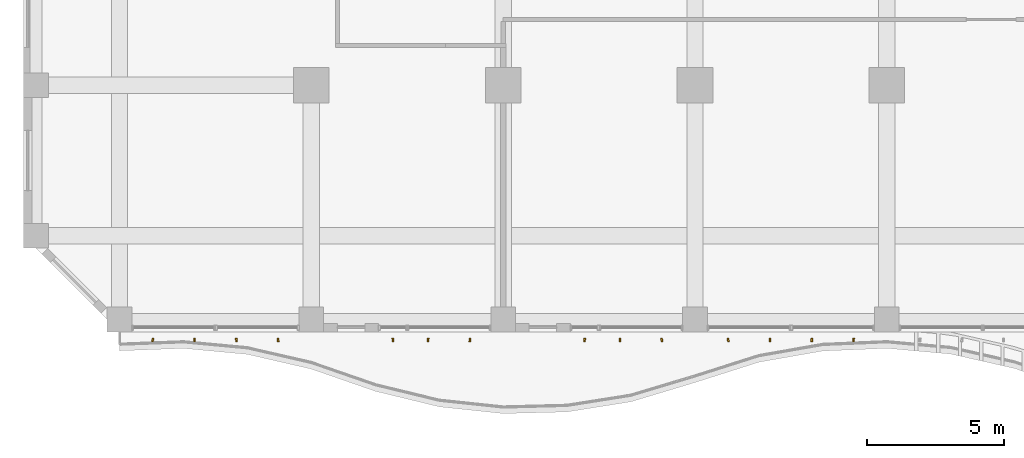
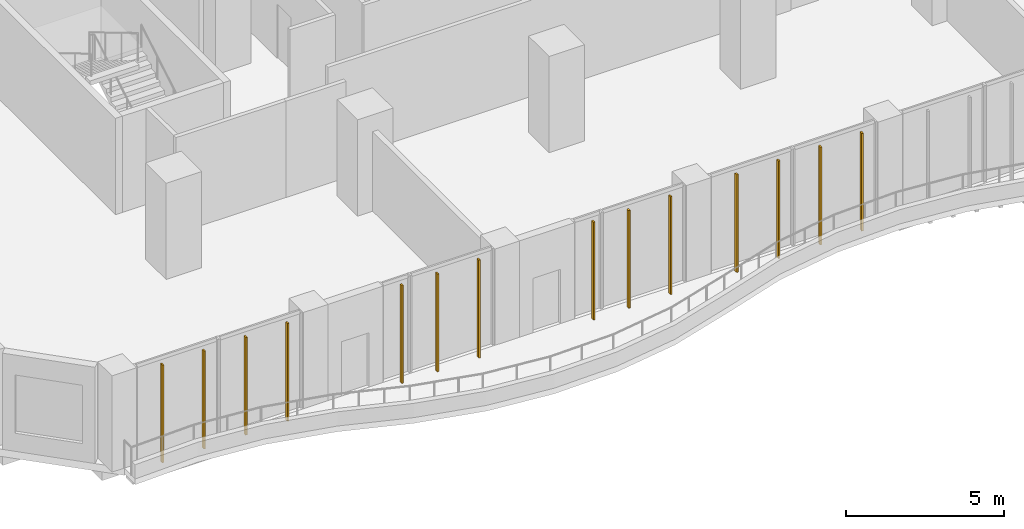
# One storey, part 17 of 25: 14 shading devices.
"""IFC4 building model written with IfcOpenShell, lengths in metres."""

from ifc_helpers import new_model, si_unit, direction, frame, origin, origin_2d, place, context, subcontext, project, spatial, rectangle, extrude, source, transform, mapped, material, material_profile, profile_set, type_object, element, save


model = new_model("IFC4")

# Units and contexts
model_context = context("Model", 3, precision=1e-05, world=origin(), true_north=direction((0.0, 1.0)))
body_context = subcontext(model_context, "Body", "Model", "MODEL_VIEW")
ifc_project = project(units=[si_unit("LENGTHUNIT", "METRE"), si_unit("AREAUNIT", "SQUARE_METRE"), si_unit("VOLUMEUNIT", "CUBIC_METRE"), si_unit("PLANEANGLEUNIT", "RADIAN"), si_unit("MASSUNIT", "GRAM", prefix="KILO")], contexts=[model_context])

# Site, building, storey
site_placement = place(None, origin())
site = spatial("IfcSite", under=ifc_project, at=site_placement, CompositionType="ELEMENT")
building_placement = place(site_placement, origin())
building = spatial("IfcBuilding", under=site, at=building_placement, Name="Kilnfold Tower and Market Hall", CompositionType="ELEMENT")
storey_placement = place(building_placement, frame((0.0, 0.0, 39.0)))
storey = spatial("IfcBuildingStorey", under=building, at=storey_placement, Name="L08", CompositionType="ELEMENT", Elevation=39.0)

# Shading devices
ifc_material = material(Name="Terracotta", Category="masonry")
ifc_material_profile = material_profile(ifc_material, rectangle(XDim=0.06005859375, YDim=0.1201171875, at=origin_2d()), Name="BAG 60x120")
ifc_profile_set = profile_set([ifc_material_profile], Name="Terracotta")
shading_device_type = type_object("IfcShadingDeviceType", Name="BAGUETTE", PredefinedType="USERDEFINED", material=ifc_profile_set)
shared_shape = source(origin(), body_context, "Body", "SweptSolid", [
    extrude(rectangle(XDim=0.06005859375, YDim=0.1201171875, at=origin_2d()), origin(), (0.0, 0.0, 1.0), 3.780029296875),
])
for number, where, z_axis, x_axis, name in (
    (1, (-23.28759765625, -28.300048828125, 0.0), (0.0, 0.0, 1.0), (0.991873138788, -0.127230800326, 0.0), "Terracotta baguette L08 S"),
    (2, (-21.762451171875, -28.300048828125, 0.0), (0.0, 0.0, 1.0), (0.998018061321, -0.062928127866, 0.0), "Terracotta baguette L08 S"),
    (3, (-20.237548828125, -28.300048828125, 0.0), (0.0, 0.0, 1.0), (0.999550019816, 0.029995964506, 0.0), "Terracotta baguette L08 S"),
    (4, (-18.71240234375, -28.300048828125, 0.0), (0.0, 0.0, 1.0), (0.994015607059, 0.109238147749, 0.0), "Terracotta baguette L08 S"),
    (5, (-14.52490234375, -28.300048828125, 0.0), (0.0, 0.0, 1.0), (0.998782317789, 0.049334386295, 0.0), "Terracotta baguette L08 S"),
    (6, (-13.237548828125, -28.300048828125, 0.0), (0.0, 0.0, 1.0), (0.999550019816, -0.029995964506, 0.0), "Terracotta baguette L08 S"),
    (7, (-11.71240234375, -28.300048828125, 0.0), (0.0, 0.0, 1.0), (0.994015607059, -0.109238147749, 0.0), "Terracotta baguette L08 S"),
    (8, (-7.52490234375, -28.300048828125, 0.0), (0.0, 0.0, 1.0), (0.998782317789, -0.049334386295, 0.0), "Terracotta baguette L08 S"),
    (9, (-6.237548828125, -28.300048828125, 0.0), (0.0, 0.0, 1.0), (0.999550019816, 0.029995964506, 0.0), "Terracotta baguette L08 S"),
    (10, (-4.71240234375, -28.300048828125, 0.0), (0.0, 0.0, 1.0), (0.994015607059, 0.109238147749, 0.0), "Terracotta baguette L08 S"),
    (11, (-2.28759765625, -28.300048828125, 0.0), (0.0, 0.0, 1.0), (0.991873138788, 0.127230800326, 0.0), "Terracotta baguette L08 S"),
    (12, (-0.762451171875, -28.300048828125, 0.0), (0.0, 0.0, 1.0), (0.998018061321, 0.062928127866, 0.0), "Terracotta baguette L08 S"),
    (13, (0.762451171875, -28.300048828125, 0.0), (0.0, 0.0, 1.0), (0.999550019816, -0.029995964506, 0.0), "Terracotta baguette L08 S"),
    (14, (2.28759765625, -28.300048828125, 0.0), (0.0, 0.0, 1.0), (0.994015607059, -0.109238147749, 0.0), "Terracotta baguette L08 S"),
):
    element("IfcShadingDevice", number, at=place(storey_placement, frame(where, z_axis=z_axis, x_axis=x_axis)), inside=storey, type_object=shading_device_type, Name=name, ObjectType="BAGUETTE", PredefinedType="USERDEFINED", context=body_context, shape_type="MappedRepresentation", body=[
        mapped(shared_shape, transform((0.0, 0.0, 0.0))),
    ])

save(model, "model.ifc")
